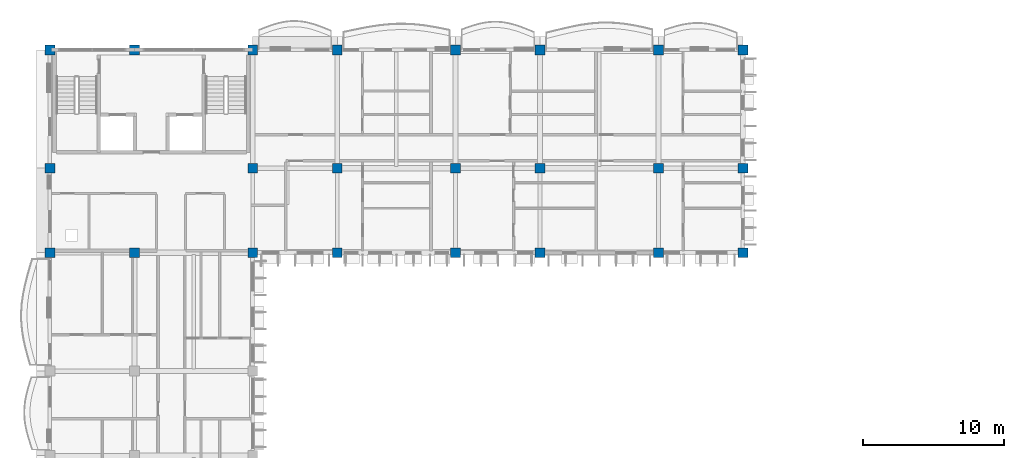
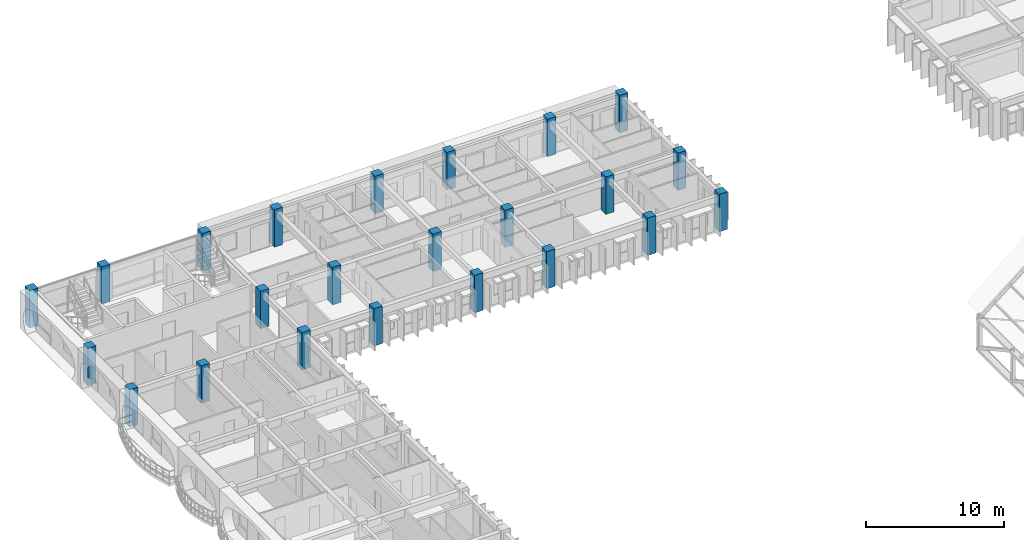
# One storey, part 8 of 101: 23 columns.
"""IFC4 building model written with IfcOpenShell, lengths in metres."""

from ifc_helpers import new_model, si_unit, direction, frame, origin, origin_2d, place, context, subcontext, project, spatial, rectangle, extrude, material, material_profile, profile_set, type_object, element, save


model = new_model("IFC4")

# Units and contexts
model_context = context("Model", 3, precision=1e-05, world=origin(), true_north=direction((0.0, 1.0)))
body_context = subcontext(model_context, "Body", "Model", "MODEL_VIEW")
ifc_project = project(units=[si_unit("LENGTHUNIT", "METRE"), si_unit("AREAUNIT", "SQUARE_METRE"), si_unit("VOLUMEUNIT", "CUBIC_METRE"), si_unit("PLANEANGLEUNIT", "RADIAN"), si_unit("MASSUNIT", "GRAM", prefix="KILO"), si_unit("THERMODYNAMICTEMPERATUREUNIT", "KELVIN")], contexts=[model_context])

# Site, building, storey
site_placement = place(None, origin())
site = spatial("IfcSite", under=ifc_project, at=site_placement, CompositionType="ELEMENT")
building_placement = place(site_placement, origin())
building = spatial("IfcBuilding", under=site, at=building_placement, Name="Thalorik Housing Commons", CompositionType="ELEMENT")
storey_placement = place(building_placement, frame((0.0, 0.0, 8.10009765625)))
storey = spatial("IfcBuildingStorey", under=building, at=storey_placement, Name="L02", CompositionType="ELEMENT", Elevation=8.10009765625)

# Columns
ifc_material = material(Name="Precast concrete C40/50", Category="concrete")
ifc_material_profile = material_profile(ifc_material, rectangle(XDim=0.699951171875, YDim=0.699951171875, at=origin_2d()), Name="PC 700x700", Category="concrete")
ifc_profile_set = profile_set([ifc_material_profile], Name="Precast concrete C40/50")
column_type = type_object("IfcColumnType", Name="STR-COL-PC700", PredefinedType="COLUMN", material=ifc_profile_set)
for number, where, z_axis, x_axis, name in (
    (1, (8.39990234375, 109.199951171875, 0.0), (0.0, 0.0, 1.0), (1.0, 0.0, 0.0), "L02 Column C-700"),
    (2, (8.39990234375, 115.199951171875, 0.0), (0.0, 0.0, 1.0), (1.0, 0.0, 0.0), "L02 Column C-700"),
    (3, (8.39990234375, 123.60009765625, 0.0), (0.0, 0.0, 1.0), (1.0, 0.0, 0.0), "L02 Column C-700"),
    (4, (14.39990234375, 109.199951171875, 0.0), (0.0, 0.0, 1.0), (1.0, 0.0, 0.0), "L02 Column C-700"),
    (5, (14.39990234375, 123.60009765625, 0.0), (0.0, 0.0, 1.0), (1.0, 0.0, 0.0), "L02 Column C-700"),
    (6, (22.800048828125, 109.199951171875, 0.0), (0.0, 0.0, 1.0), (1.0, 0.0, 0.0), "L02 Column C-700"),
    (7, (22.800048828125, 115.199951171875, 0.0), (0.0, 0.0, 1.0), (1.0, 0.0, 0.0), "L02 Column C-700"),
    (8, (22.800048828125, 123.60009765625, 0.0), (0.0, 0.0, 1.0), (1.0, 0.0, 0.0), "L02 Column C-700"),
    (9, (28.800048828125, 109.199951171875, 0.0), (0.0, 0.0, 1.0), (1.0, 0.0, 0.0), "L02 Column C-700"),
    (10, (28.800048828125, 115.199951171875, 0.0), (0.0, 0.0, 1.0), (1.0, 0.0, 0.0), "L02 Column C-700"),
    (11, (28.800048828125, 123.60009765625, 0.0), (0.0, 0.0, 1.0), (1.0, 0.0, 0.0), "L02 Column C-700"),
    (12, (37.199951171875, 109.199951171875, 0.0), (0.0, 0.0, 1.0), (1.0, 0.0, 0.0), "L02 Column C-700"),
    (13, (37.199951171875, 115.199951171875, 0.0), (0.0, 0.0, 1.0), (1.0, 0.0, 0.0), "L02 Column C-700"),
    (14, (37.199951171875, 123.60009765625, 0.0), (0.0, 0.0, 1.0), (1.0, 0.0, 0.0), "L02 Column C-700"),
    (15, (43.199951171875, 109.199951171875, 0.0), (0.0, 0.0, 1.0), (1.0, 0.0, 0.0), "L02 Column C-700"),
    (16, (43.199951171875, 115.199951171875, 0.0), (0.0, 0.0, 1.0), (1.0, 0.0, 0.0), "L02 Column C-700"),
    (17, (43.199951171875, 123.60009765625, 0.0), (0.0, 0.0, 1.0), (1.0, 0.0, 0.0), "L02 Column C-700"),
    (18, (51.60009765625, 109.199951171875, 0.0), (0.0, 0.0, 1.0), (1.0, 0.0, 0.0), "L02 Column C-700"),
    (19, (51.60009765625, 115.199951171875, 0.0), (0.0, 0.0, 1.0), (1.0, 0.0, 0.0), "L02 Column C-700"),
    (20, (51.60009765625, 123.60009765625, 0.0), (0.0, 0.0, 1.0), (1.0, 0.0, 0.0), "L02 Column C-700"),
    (21, (57.60009765625, 109.199951171875, 0.0), (0.0, 0.0, 1.0), (1.0, 0.0, 0.0), "L02 Column C-700"),
    (22, (57.60009765625, 115.199951171875, 0.0), (0.0, 0.0, 1.0), (1.0, 0.0, 0.0), "L02 Column C-700"),
    (23, (57.60009765625, 123.60009765625, 0.0), (0.0, 0.0, 1.0), (1.0, 0.0, 0.0), "L02 Column C-700"),
):
    element("IfcColumn", number, at=place(storey_placement, frame(where, z_axis=z_axis, x_axis=x_axis)), inside=storey, type_object=column_type, Name=name, PredefinedType="COLUMN", context=body_context, shape_type="SweptSolid", body=[
        extrude(rectangle(XDim=0.699951171875, YDim=0.699951171875, at=origin_2d()), origin(), (0.0, 0.0, 1.0), 3.2998046875),
    ])

save(model, "model.ifc")
